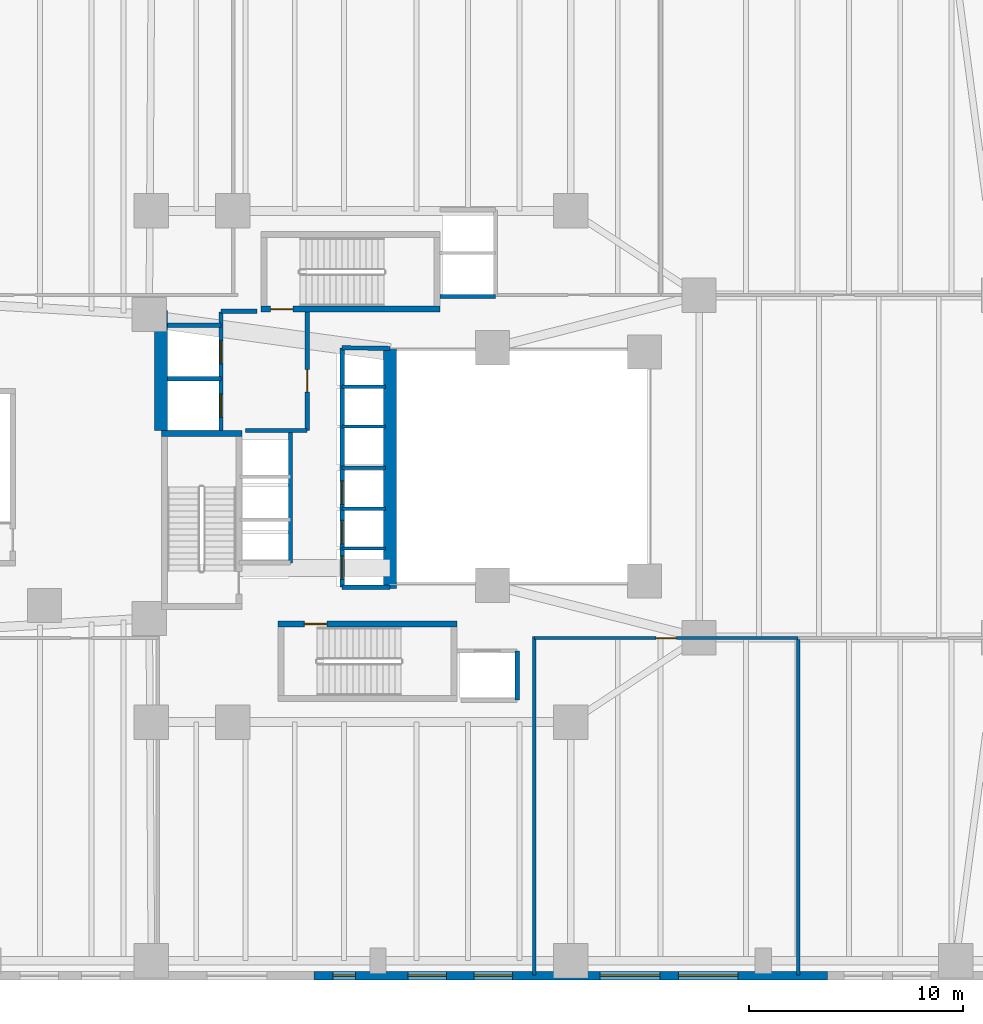
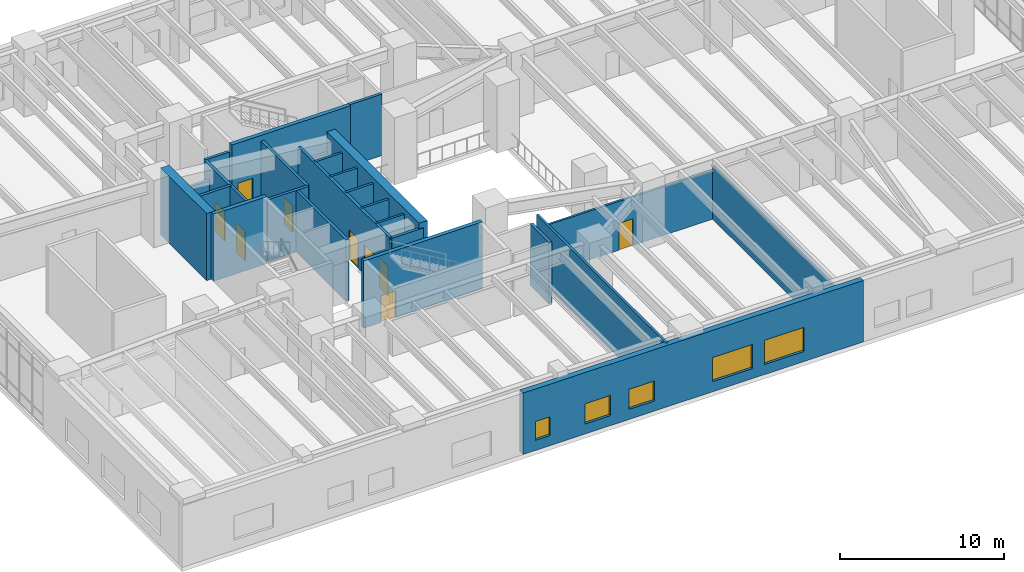
# One storey, part 13 of 18: 26 walls, 9 doors, 5 windows, 14 openings.
"""IFC4 building model written with IfcOpenShell, lengths in metres."""

from ifc_helpers import new_model, si_unit, direction, frame, frame_2d, origin, place, context, subcontext, project, spatial, rectangle, extrude, material, layer, layer_set, type_object, element, fill, save


model = new_model("IFC4")

# Units and contexts
model_context = context("Model", 3, precision=1e-05, world=origin(), true_north=direction((0.0, 1.0)))
body_context = subcontext(model_context, "Body", "Model", "MODEL_VIEW")
ifc_project = project(units=[si_unit("LENGTHUNIT", "METRE"), si_unit("AREAUNIT", "SQUARE_METRE"), si_unit("VOLUMEUNIT", "CUBIC_METRE"), si_unit("PLANEANGLEUNIT", "RADIAN"), si_unit("MASSUNIT", "GRAM", prefix="KILO"), si_unit("THERMODYNAMICTEMPERATUREUNIT", "KELVIN"), si_unit("POWERUNIT", "WATT")], contexts=[model_context])

# Site, building, storey
site_placement = place(None, origin())
site = spatial("IfcSite", under=ifc_project, at=site_placement, CompositionType="ELEMENT")
building_placement = place(site_placement, origin())
building = spatial("IfcBuilding", under=site, at=building_placement, Name="Skarre Station Tower", CompositionType="ELEMENT")
storey_placement = place(building_placement, frame((0.0, 0.0, 16.0)))
storey = spatial("IfcBuildingStorey", under=building, at=storey_placement, Name="L04", CompositionType="ELEMENT", Elevation=16.0)

# Wall, opening, door
ifc_material_1 = material(Name="Acoustic Steel-Stud Gypsum Partition", Category="steel")
ifc_layer_1 = layer(ifc_material_1, 0.14990234375, Name="Acoustic Steel-Stud Gypsum Partition")
ifc_layer_set_1 = layer_set([ifc_layer_1], Name="Acoustic Steel-Stud Gypsum Partition")
wall_type_1 = type_object("IfcWallType", Name="Fire-Rated Corridor Acoustic Partition 150", PredefinedType="PARTITIONING", material=ifc_layer_set_1)
wall_1_placement = place(storey_placement, frame((34.300048828125, 15.97998046875, 0.0), z_axis=(0.0, 0.0, 1.0), x_axis=(1.0, 0.0, 0.0)))
wall_1 = element("IfcWall", 1, at=wall_1_placement, inside=storey, type_object=wall_type_1, Name="L04 Interior Partition WL-PT-L04-PDSE1-CW", PredefinedType="PARTITIONING", context=body_context, shape_type="SweptSolid", body=[
    extrude(rectangle(XDim=12.31201171875, YDim=0.14990234375, at=frame_2d((6.156005859375, 0.0))), origin(), (0.0, 0.0, 1.0), 3.632080078125),
])
opening_1_placement = place(wall_1_placement, frame((5.676025390625, 0.0, 0.0)))
opening_1 = element("IfcOpeningElement", 2, at=opening_1_placement, cuts=wall_1, Name="Opening DR-FD60", PredefinedType="OPENING", context=body_context, shape_type="SweptSolid", body=[
    extrude(rectangle(XDim=0.9599609375, YDim=2.0, at=frame_2d((0.47998046875, 1.0))), frame((0.0, 0.0849609375, 0.0), z_axis=(0.0, -1.0, 0.0), x_axis=(1.0, 0.0, 0.0)), (0.0, 0.0, 1.0), 0.169921875),
])
ifc_material_2 = material(Name="Nordic White-Oak Veneer Solid-Core Fire Leaf", Category="wood")
door_type_1 = type_object("IfcDoorType", Name="Corridor Suite Entry Fire Door FD60 960x2150", OperationType="SINGLE_SWING_LEFT", PredefinedType="DOOR", material=ifc_material_2)
door_1_placement = place(opening_1_placement, origin())
door_1 = element("IfcDoor", 3, at=door_1_placement, inside=storey, type_object=door_type_1, Name="L04 PDSE1 Entry Door", OperationType="SINGLE_SWING_LEFT", OverallHeight=2.0, OverallWidth=0.9599609375, PredefinedType="DOOR", context=body_context, shape_type="SweptSolid", body=[
    extrude(rectangle(XDim=0.9599609375, YDim=2.0, at=frame_2d((0.47998046875, 1.0))), frame((0.0, 0.02490234375, 0.0), z_axis=(0.0, -1.0, 0.0), x_axis=(1.0, 0.0, 0.0)), (0.0, 0.0, 1.0), 0.050048828125),
])
fill(opening_1, door_1)

# Wall, openings, windows
ifc_material_3 = material(Name="Precast concrete C45/55", Category="concrete")
ifc_layer_2 = layer(ifc_material_3, 0.39990234375, Name="Precast concrete C45/55")
ifc_layer_set_2 = layer_set([ifc_layer_2], Name="Precast concrete C45/55")
wall_type_2 = type_object("IfcWallType", Name="Nordic Granite Station Podium Wall 400", PredefinedType="STANDARD", material=ifc_layer_set_2)
wall_2_placement = place(storey_placement, frame((48.0, 0.199951171875, 0.0), z_axis=(0.0, 0.0, 1.0), x_axis=(-1.0, 0.0, 0.0)))
wall_2 = element("IfcWall", 4, at=wall_2_placement, inside=storey, type_object=wall_type_2, Name="L04 South Podium Granite Wall SB", PredefinedType="STANDARD", context=body_context, shape_type="SweptSolid", body=[
    extrude(rectangle(XDim=24.0, YDim=0.39990234375, at=frame_2d((12.0, 0.0))), origin(), (0.0, 0.0, 1.0), 4.580078125),
])
opening_2_placement = place(wall_2_placement, frame((4.169921875, 0.0, 0.75)))
opening_2 = element("IfcOpeningElement", 5, at=opening_2_placement, cuts=wall_2, Name="Opening WN-POD", PredefinedType="OPENING", context=body_context, shape_type="SweptSolid", body=[
    extrude(rectangle(XDim=2.800048828125, YDim=1.800048828125, at=frame_2d((1.39990234375, 0.89990234375))), frame((0.0, 0.2099609375, 0.0), z_axis=(0.0, -1.0, 0.0), x_axis=(1.0, 0.0, 0.0)), (0.0, 0.0, 1.0), 0.419921875),
])
opening_3_placement = place(wall_2_placement, frame((7.830078125, 0.0, 0.75)))
opening_3 = element("IfcOpeningElement", 6, at=opening_3_placement, cuts=wall_2, Name="Opening WN-POD", PredefinedType="OPENING", context=body_context, shape_type="SweptSolid", body=[
    extrude(rectangle(XDim=2.800048828125, YDim=1.800048828125, at=frame_2d((1.39990234375, 0.89990234375))), frame((0.0, 0.2099609375, 0.0), z_axis=(0.0, -1.0, 0.0), x_axis=(1.0, 0.0, 0.0)), (0.0, 0.0, 1.0), 0.419921875),
])
opening_4_placement = place(wall_2_placement, frame((14.7119140625, 0.0, 0.75)))
opening_4 = element("IfcOpeningElement", 7, at=opening_4_placement, cuts=wall_2, Name="Opening WN-Z1A", PredefinedType="OPENING", context=body_context, shape_type="SweptSolid", body=[
    extrude(rectangle(XDim=1.800048828125, YDim=1.5, at=frame_2d((0.89990234375, 0.75))), frame((0.0, 0.2099609375, 0.0), z_axis=(0.0, -1.0, 0.0), x_axis=(1.0, 0.0, 0.0)), (0.0, 0.0, 1.0), 0.419921875),
])
opening_5_placement = place(wall_2_placement, frame((17.81103515625, 0.0, 0.75)))
opening_5 = element("IfcOpeningElement", 8, at=opening_5_placement, cuts=wall_2, Name="Opening WN-Z1A", PredefinedType="OPENING", context=body_context, shape_type="SweptSolid", body=[
    extrude(rectangle(XDim=1.800048828125, YDim=1.5, at=frame_2d((0.89990234375, 0.75))), frame((0.0, 0.2099609375, 0.0), z_axis=(0.0, -1.0, 0.0), x_axis=(1.0, 0.0, 0.0)), (0.0, 0.0, 1.0), 0.419921875),
])
opening_6_placement = place(wall_2_placement, frame((22.070068359375, 0.0, 0.75)))
opening_6 = element("IfcOpeningElement", 9, at=opening_6_placement, cuts=wall_2, Name="Opening WN-SLT", PredefinedType="OPENING", context=body_context, shape_type="SweptSolid", body=[
    extrude(rectangle(XDim=1.050048828125, YDim=1.39990234375, at=frame_2d((0.52490234375, 0.699951171875))), frame((0.0, 0.2099609375, 0.0), z_axis=(0.0, -1.0, 0.0), x_axis=(1.0, 0.0, 0.0)), (0.0, 0.0, 1.0), 0.419921875),
])
ifc_material_4 = material(Name="Low-Iron Triple Glazing with Bronze Anodized Frame", Category="glass")
window_type_1 = type_object("IfcWindowType", Name="Nordic Corner Slot Window 1050x1400", PartitioningType="SINGLE_PANEL", PredefinedType="WINDOW", material=ifc_material_4)
window_1_placement = place(opening_6_placement, origin())
window_1 = element("IfcWindow", 10, at=window_1_placement, inside=storey, type_object=window_type_1, Name="L04 Facade Window WL-POD-L04-SB-5", OverallHeight=1.39990234375, OverallWidth=1.050048828125, PartitioningType="SINGLE_PANEL", PredefinedType="WINDOW", context=body_context, shape_type="SweptSolid", body=[
    extrude(rectangle(XDim=1.050048828125, YDim=1.39990234375, at=frame_2d((0.52490234375, 0.699951171875))), frame((0.0, 0.030029296875, 0.0), z_axis=(0.0, -1.0, 0.0), x_axis=(1.0, 0.0, 0.0)), (0.0, 0.0, 1.0), 0.06005859375),
])
fill(opening_6, window_1)
window_type_2 = type_object("IfcWindowType", Name="Nordic Punched Triple-Glazed Window 1800x1500", PartitioningType="SINGLE_PANEL", PredefinedType="WINDOW", material=ifc_material_4)
window_2_placement = place(opening_4_placement, origin())
window_2 = element("IfcWindow", 11, at=window_2_placement, inside=storey, type_object=window_type_2, Name="L04 Facade Window WL-POD-L04-SB-3", OverallHeight=1.5, OverallWidth=1.800048828125, PartitioningType="SINGLE_PANEL", PredefinedType="WINDOW", context=body_context, shape_type="SweptSolid", body=[
    extrude(rectangle(XDim=1.800048828125, YDim=1.5, at=frame_2d((0.89990234375, 0.75))), frame((0.0, 0.030029296875, 0.0), z_axis=(0.0, -1.0, 0.0), x_axis=(1.0, 0.0, 0.0)), (0.0, 0.0, 1.0), 0.06005859375),
])
fill(opening_4, window_2)
window_3_placement = place(opening_5_placement, origin())
window_3 = element("IfcWindow", 12, at=window_3_placement, inside=storey, type_object=window_type_2, Name="L04 Facade Window WL-POD-L04-SB-4", OverallHeight=1.5, OverallWidth=1.800048828125, PartitioningType="SINGLE_PANEL", PredefinedType="WINDOW", context=body_context, shape_type="SweptSolid", body=[
    extrude(rectangle(XDim=1.800048828125, YDim=1.5, at=frame_2d((0.89990234375, 0.75))), frame((0.0, 0.030029296875, 0.0), z_axis=(0.0, -1.0, 0.0), x_axis=(1.0, 0.0, 0.0)), (0.0, 0.0, 1.0), 0.06005859375),
])
fill(opening_5, window_3)
window_type_3 = type_object("IfcWindowType", Name="Podium Clerestory Ribbon Window 2800x1800", PartitioningType="SINGLE_PANEL", PredefinedType="WINDOW", material=ifc_material_4)
window_4_placement = place(opening_2_placement, origin())
window_4 = element("IfcWindow", 13, at=window_4_placement, inside=storey, type_object=window_type_3, Name="L04 Facade Window WL-POD-L04-SB-1", OverallHeight=1.800048828125, OverallWidth=2.800048828125, PartitioningType="SINGLE_PANEL", PredefinedType="WINDOW", context=body_context, shape_type="SweptSolid", body=[
    extrude(rectangle(XDim=2.800048828125, YDim=1.800048828125, at=frame_2d((1.39990234375, 0.89990234375))), frame((0.0, 0.030029296875, 0.0), z_axis=(0.0, -1.0, 0.0), x_axis=(1.0, 0.0, 0.0)), (0.0, 0.0, 1.0), 0.06005859375),
])
fill(opening_2, window_4)
window_5_placement = place(opening_3_placement, origin())
window_5 = element("IfcWindow", 14, at=window_5_placement, inside=storey, type_object=window_type_3, Name="L04 Facade Window WL-POD-L04-SB-2", OverallHeight=1.800048828125, OverallWidth=2.800048828125, PartitioningType="SINGLE_PANEL", PredefinedType="WINDOW", context=body_context, shape_type="SweptSolid", body=[
    extrude(rectangle(XDim=2.800048828125, YDim=1.800048828125, at=frame_2d((1.39990234375, 0.89990234375))), frame((0.0, 0.030029296875, 0.0), z_axis=(0.0, -1.0, 0.0), x_axis=(1.0, 0.0, 0.0)), (0.0, 0.0, 1.0), 0.06005859375),
])
fill(opening_3, window_5)

# Wall
ifc_material_5 = material(Name="Concrete C50/60", Category="concrete")
ifc_layer_3 = layer(ifc_material_5, 0.280029296875, Name="Concrete C50/60")
ifc_layer_set_3 = layer_set([ifc_layer_3], Name="Concrete C50/60")
wall_type_3 = type_object("IfcWallType", Name="RC Core Shear Wall 280", PredefinedType="SHEAR", material=ifc_layer_set_3)
wall_3_placement = place(storey_placement, frame((20.6298828125, 25.5400390625, 0.0), z_axis=(0.0, 0.0, 1.0), x_axis=(-1.0, 0.0, 0.0)))
element("IfcWall", 15, at=wall_3_placement, inside=storey, type_object=wall_type_3, Name="L04 Stair ST-1 North Shear Wall", PredefinedType="SHEAR", context=body_context, shape_type="SweptSolid", body=[
    extrude(rectangle(XDim=3.759765625, YDim=0.280029296875, at=frame_2d((1.8798828125, 0.0))), origin(), (0.0, 0.0, 1.0), 5.0),
])

# Wall, opening, door
wall_4_placement = place(storey_placement, frame((30.679931640625, 16.639892578125, 0.0), z_axis=(0.0, 0.0, 1.0), x_axis=(-1.0, 0.0, 0.0)))
wall_4 = element("IfcWall", 16, at=wall_4_placement, inside=storey, type_object=wall_type_3, Name="L04 Stair ST-2 North Shear Wall", PredefinedType="SHEAR", context=body_context, shape_type="SweptSolid", body=[
    extrude(rectangle(XDim=8.35986328125, YDim=0.280029296875, at=frame_2d((4.179931640625, 0.0))), origin(), (0.0, 0.0, 1.0), 5.0),
])
opening_7_placement = place(wall_4_placement, frame((6.080078125, 0.0, 0.0)))
opening_7 = element("IfcOpeningElement", 17, at=opening_7_placement, cuts=wall_4, Name="Opening DR-FD90", PredefinedType="OPENING", context=body_context, shape_type="SweptSolid", body=[
    extrude(rectangle(XDim=1.050048828125, YDim=2.0, at=frame_2d((0.52490234375, 1.0))), frame((0.0, 0.14990234375, 0.0), z_axis=(0.0, -1.0, 0.0), x_axis=(1.0, 0.0, 0.0)), (0.0, 0.0, 1.0), 0.300048828125),
])
ifc_material_6 = material(Name="Fire-Rated Insulated Steel Frame & Timber Core Leaf", Category="steel")
door_type_2 = type_object("IfcDoorType", Name="Stair & FSAE Lobby Fire Door FD90 1050x2150", OperationType="SINGLE_SWING_RIGHT", PredefinedType="DOOR", material=ifc_material_6)
door_2_placement = place(opening_7_placement, origin())
door_2 = element("IfcDoor", 18, at=door_2_placement, inside=storey, type_object=door_type_2, Name="L04 Stair ST-2 Exit Door", OperationType="SINGLE_SWING_RIGHT", OverallHeight=2.0, OverallWidth=1.050048828125, PredefinedType="DOOR", context=body_context, shape_type="SweptSolid", body=[
    extrude(rectangle(XDim=1.050048828125, YDim=2.0, at=frame_2d((0.52490234375, 1.0))), frame((0.0, 0.02490234375, 0.0), z_axis=(0.0, -1.0, 0.0), x_axis=(1.0, 0.0, 0.0)), (0.0, 0.0, 1.0), 0.050048828125),
])
fill(opening_7, door_2)

wall_5_placement = place(storey_placement, frame((21.52001953125, 31.360107421875, 0.0), z_axis=(0.0, 0.0, 1.0), x_axis=(1.0, 0.0, 0.0)))
wall_5 = element("IfcWall", 19, at=wall_5_placement, inside=storey, type_object=wall_type_3, Name="L04 Stair ST-3 South Shear Wall", PredefinedType="SHEAR", context=body_context, shape_type="SweptSolid", body=[
    extrude(rectangle(XDim=8.35986328125, YDim=0.280029296875, at=frame_2d((4.179931640625, 0.0))), origin(), (0.0, 0.0, 1.0), 5.0),
])
opening_8_placement = place(wall_5_placement, frame((0.449951171875, 0.0, 0.0)))
opening_8 = element("IfcOpeningElement", 20, at=opening_8_placement, cuts=wall_5, Name="Opening DR-FD90", PredefinedType="OPENING", context=body_context, shape_type="SweptSolid", body=[
    extrude(rectangle(XDim=1.050048828125, YDim=2.0, at=frame_2d((0.52490234375, 1.0))), frame((0.0, 0.14990234375, 0.0), z_axis=(0.0, -1.0, 0.0), x_axis=(1.0, 0.0, 0.0)), (0.0, 0.0, 1.0), 0.300048828125),
])
door_3_placement = place(opening_8_placement, origin())
door_3 = element("IfcDoor", 21, at=door_3_placement, inside=storey, type_object=door_type_2, Name="L04 Stair ST-3 & FSAE Lobby Direct Exit Door", OperationType="SINGLE_SWING_LEFT", OverallHeight=2.0, OverallWidth=1.050048828125, PredefinedType="DOOR", context=body_context, shape_type="SweptSolid", body=[
    extrude(rectangle(XDim=1.050048828125, YDim=2.0, at=frame_2d((0.52490234375, 1.0))), frame((0.0, 0.02490234375, 0.0), z_axis=(0.0, -1.0, 0.0), x_axis=(1.0, 0.0, 0.0)), (0.0, 0.0, 1.0), 0.050048828125),
])
fill(opening_8, door_3)

# Walls
ifc_material_7 = material(Name="Concrete C70/85", Category="concrete")
ifc_layer_4 = layer(ifc_material_7, 0.60009765625, Name="Concrete C70/85")
ifc_layer_set_4 = layer_set([ifc_layer_4], Name="Concrete C70/85")
wall_type_4 = type_object("IfcWallType", Name="RC Core Shear Wall 600", PredefinedType="SHEAR", material=ifc_layer_set_4)
wall_6_placement = place(storey_placement, frame((16.85009765625, 25.679931640625, 0.0), z_axis=(0.0, 0.0, 1.0), x_axis=(0.0, 1.0, 0.0)))
element("IfcWall", 22, at=wall_6_placement, inside=storey, type_object=wall_type_4, Name="L04 Core West-North Shear Wall", PredefinedType="SHEAR", context=body_context, shape_type="SweptSolid", body=[
    extrude(rectangle(XDim=5.6201171875, YDim=0.60009765625, at=frame_2d((2.81005859375, 0.0))), origin(), (0.0, 0.0, 1.0), 5.0),
])
wall_7_placement = place(storey_placement, frame((27.550048828125, 29.550048828125, 0.0), z_axis=(0.0, 0.0, 1.0), x_axis=(0.0, -1.0, 0.0)))
element("IfcWall", 23, at=wall_7_placement, inside=storey, type_object=wall_type_4, Name="L04 Core East Atrium Shear Wall", PredefinedType="SHEAR", context=body_context, shape_type="SweptSolid", body=[
    extrude(rectangle(XDim=11.25, YDim=0.60009765625, at=frame_2d((5.625, 0.0))), origin(), (0.0, 0.0, 1.0), 5.0),
])

# Wall, openings, doors
ifc_material_8 = material(Name="Gypsum Concrete Shaft Assembly C30/37", Category="concrete")
ifc_layer_5 = layer(ifc_material_8, 0.199951171875, Name="Gypsum Concrete Shaft Assembly C30/37")
ifc_layer_set_5 = layer_set([ifc_layer_5], Name="Gypsum Concrete Shaft Assembly C30/37")
wall_type_5 = type_object("IfcWallType", Name="Shaft & Core Fire Partition 200", PredefinedType="PARTITIONING", material=ifc_layer_set_5)
wall_8_placement = place(storey_placement, frame((19.64990234375, 25.679931640625, 0.0), z_axis=(0.0, 0.0, 1.0), x_axis=(0.0, 1.0, 0.0)))
wall_8 = element("IfcWall", 24, at=wall_8_placement, inside=storey, type_object=wall_type_5, Name="L04 Interior Partition WL-PT-L04-FSAE-W", PredefinedType="PARTITIONING", context=body_context, shape_type="SweptSolid", body=[
    extrude(rectangle(XDim=5.5400390625, YDim=0.199951171875, at=frame_2d((2.77001953125, 0.0))), origin(), (0.0, 0.0, 1.0), 4.580078125),
])
opening_9_placement = place(wall_8_placement, frame((0.6201171875, 0.0, 0.0)))
opening_9 = element("IfcOpeningElement", 25, at=opening_9_placement, cuts=wall_8, Name="Opening LD-FF1", PredefinedType="OPENING", context=body_context, shape_type="SweptSolid", body=[
    extrude(rectangle(XDim=1.10009765625, YDim=2.199951171875, at=frame_2d((0.550048828125, 1.10009765625))), frame((0.0, 0.10986328125, 0.0), z_axis=(0.0, -1.0, 0.0), x_axis=(1.0, 0.0, 0.0)), (0.0, 0.0, 1.0), 0.219970703125),
])
opening_10_placement = place(wall_8_placement, frame((3.1201171875, 0.0, 0.0)))
opening_10 = element("IfcOpeningElement", 26, at=opening_10_placement, cuts=wall_8, Name="Opening LD-FF2", PredefinedType="OPENING", context=body_context, shape_type="SweptSolid", body=[
    extrude(rectangle(XDim=1.10009765625, YDim=2.199951171875, at=frame_2d((0.550048828125, 1.10009765625))), frame((0.0, 0.10986328125, 0.0), z_axis=(0.0, -1.0, 0.0), x_axis=(1.0, 0.0, 0.0)), (0.0, 0.0, 1.0), 0.219970703125),
])
ifc_material_9 = material(Name="Fire-Rated Stainless Steel Grade 316L Sliding Leaves", Category="steel")
door_type_3 = type_object("IfcDoorType", Name="Fire Service Access Elevator Sliding Landing Door 1100x2200", OperationType="SLIDING_TO_LEFT", PredefinedType="DOOR", material=ifc_material_9)
door_4_placement = place(opening_9_placement, origin())
door_4 = element("IfcDoor", 27, at=door_4_placement, inside=storey, type_object=door_type_3, Name="L04 Firefighting Lift LF-FF1 Landing Door", OperationType="SLIDING_TO_LEFT", OverallHeight=2.199951171875, OverallWidth=1.10009765625, PredefinedType="DOOR", context=body_context, shape_type="SweptSolid", body=[
    extrude(rectangle(XDim=1.10009765625, YDim=2.199951171875, at=frame_2d((0.550048828125, 1.10009765625))), frame((0.0, 0.02490234375, 0.0), z_axis=(0.0, -1.0, 0.0), x_axis=(1.0, 0.0, 0.0)), (0.0, 0.0, 1.0), 0.050048828125),
])
fill(opening_9, door_4)
door_5_placement = place(opening_10_placement, origin())
door_5 = element("IfcDoor", 28, at=door_5_placement, inside=storey, type_object=door_type_3, Name="L04 Firefighting Lift LF-FF2 Landing Door", OperationType="SLIDING_TO_LEFT", OverallHeight=2.199951171875, OverallWidth=1.10009765625, PredefinedType="DOOR", context=body_context, shape_type="SweptSolid", body=[
    extrude(rectangle(XDim=1.10009765625, YDim=2.199951171875, at=frame_2d((0.550048828125, 1.10009765625))), frame((0.0, 0.02490234375, 0.0), z_axis=(0.0, -1.0, 0.0), x_axis=(1.0, 0.0, 0.0)), (0.0, 0.0, 1.0), 0.050048828125),
])
fill(opening_10, door_5)

# Wall
wall_9_placement = place(storey_placement, frame((20.79296875, 25.679931640625, 0.0), z_axis=(0.0, 0.0, 1.0), x_axis=(1.0, 0.0, 0.0)))
element("IfcWall", 29, at=wall_9_placement, inside=storey, type_object=wall_type_5, Name="L04 Interior Partition WL-PT-L04-FSAE-S", PredefinedType="PARTITIONING", context=body_context, shape_type="SweptSolid", body=[
    extrude(rectangle(XDim=2.886962890625, YDim=0.199951171875, at=frame_2d((1.443359375, 0.0))), origin(), (0.0, 0.0, 1.0), 4.580078125),
])

# Wall, opening, door
wall_10_placement = place(storey_placement, frame((23.679931640625, 25.679931640625, 0.0), z_axis=(0.0, 0.0, 1.0), x_axis=(0.0, 1.0, 0.0)))
wall_10 = element("IfcWall", 30, at=wall_10_placement, inside=storey, type_object=wall_type_5, Name="L04 Interior Partition WL-PT-L04-FSAE-E", PredefinedType="PARTITIONING", context=body_context, shape_type="SweptSolid", body=[
    extrude(rectangle(XDim=5.5400390625, YDim=0.199951171875, at=frame_2d((2.77001953125, 0.0))), origin(), (0.0, 0.0, 1.0), 4.580078125),
])
opening_11_placement = place(wall_10_placement, frame((1.800048828125, 0.0, 0.0)))
opening_11 = element("IfcOpeningElement", 31, at=opening_11_placement, cuts=wall_10, Name="Opening DR-FD90", PredefinedType="OPENING", context=body_context, shape_type="SweptSolid", body=[
    extrude(rectangle(XDim=1.050048828125, YDim=2.0, at=frame_2d((0.52490234375, 1.0))), frame((0.0, 0.10986328125, 0.0), z_axis=(0.0, -1.0, 0.0), x_axis=(1.0, 0.0, 0.0)), (0.0, 0.0, 1.0), 0.219970703125),
])
door_6_placement = place(opening_11_placement, origin())
door_6 = element("IfcDoor", 32, at=door_6_placement, inside=storey, type_object=door_type_2, Name="L04 FSAE Lobby Fire Door", OperationType="SINGLE_SWING_RIGHT", OverallHeight=2.0, OverallWidth=1.050048828125, PredefinedType="DOOR", context=body_context, shape_type="SweptSolid", body=[
    extrude(rectangle(XDim=1.050048828125, YDim=2.0, at=frame_2d((0.52490234375, 1.0))), frame((0.0, 0.02490234375, 0.0), z_axis=(0.0, -1.0, 0.0), x_axis=(1.0, 0.0, 0.0)), (0.0, 0.0, 1.0), 0.050048828125),
])
fill(opening_11, door_6)

# Walls
wall_11_placement = place(storey_placement, frame((21.330078125, 31.260009765625, 0.0), z_axis=(0.0, 0.0, 1.0), x_axis=(-1.0, 0.0, 0.0)))
element("IfcWall", 33, at=wall_11_placement, inside=storey, type_object=wall_type_5, Name="L04 Interior Partition WL-PT-L04-FSAE-N", PredefinedType="PARTITIONING", context=body_context, shape_type="SweptSolid", body=[
    extrude(rectangle(XDim=1.68017578125, YDim=0.199951171875, at=frame_2d((0.840087890625, 0.0))), origin(), (0.0, 0.0, 1.0), 4.580078125),
])
wall_12_placement = place(storey_placement, frame((17.14990234375, 28.10009765625, 0.0), z_axis=(0.0, 0.0, 1.0), x_axis=(1.0, 0.0, 0.0)))
element("IfcWall", 34, at=wall_12_placement, inside=storey, type_object=wall_type_5, Name="L04 Interior Partition WL-PT-L04-FF-DIV", PredefinedType="PARTITIONING", context=body_context, shape_type="SweptSolid", body=[
    extrude(rectangle(XDim=2.5, YDim=0.199951171875, at=frame_2d((1.25, 0.0))), origin(), (0.0, 0.0, 1.0), 4.580078125),
])
wall_13_placement = place(storey_placement, frame((19.64990234375, 30.60009765625, 0.0), z_axis=(0.0, 0.0, 1.0), x_axis=(-1.0, 0.0, 0.0)))
element("IfcWall", 35, at=wall_13_placement, inside=storey, type_object=wall_type_5, Name="L04 Interior Partition WL-PT-L04-FF-N", PredefinedType="PARTITIONING", context=body_context, shape_type="SweptSolid", body=[
    extrude(rectangle(XDim=2.5, YDim=0.199951171875, at=frame_2d((1.25, 0.0))), origin(), (0.0, 0.0, 1.0), 3.47998046875),
])
wall_14_placement = place(storey_placement, frame((33.5, 13.080078125, 0.0), z_axis=(0.0, 0.0, 1.0), x_axis=(0.0, 1.0, 0.0)))
element("IfcWall", 36, at=wall_14_placement, inside=storey, type_object=wall_type_5, Name="L04 Interior Partition WL-PT-L04-SV1-E", PredefinedType="PARTITIONING", context=body_context, shape_type="SweptSolid", body=[
    extrude(rectangle(XDim=2.2998046875, YDim=0.199951171875, at=frame_2d((1.14990234375, 0.0))), origin(), (0.0, 0.0, 1.0), 4.580078125),
])
wall_15_placement = place(storey_placement, frame((32.47998046875, 31.949951171875, 0.0), z_axis=(0.0, 0.0, 1.0), x_axis=(-1.0, 0.0, 0.0)))
element("IfcWall", 37, at=wall_15_placement, inside=storey, type_object=wall_type_5, Name="L04 Interior Partition WL-PT-L04-EX-S", PredefinedType="PARTITIONING", context=body_context, shape_type="SweptSolid", body=[
    extrude(rectangle(XDim=2.60009765625, YDim=0.199951171875, at=frame_2d((1.300048828125, 0.0))), origin(), (0.0, 0.0, 1.0), 4.580078125),
])
wall_16_placement = place(storey_placement, frame((22.89990234375, 19.5, 0.0), z_axis=(0.0, 0.0, 1.0), x_axis=(0.0, 1.0, 0.0)))
element("IfcWall", 38, at=wall_16_placement, inside=storey, type_object=wall_type_5, Name="L04 Interior Partition WL-PT-L04-B3-E", PredefinedType="PARTITIONING", context=body_context, shape_type="SweptSolid", body=[
    extrude(rectangle(XDim=6.0849609375, YDim=0.199951171875, at=frame_2d((3.04248046875, 0.0))), origin(), (0.0, 0.0, 1.0), 4.580078125),
])

# Wall, openings, doors
wall_17_placement = place(storey_placement, frame((25.320068359375, 29.550048828125, 0.0), z_axis=(0.0, 0.0, 1.0), x_axis=(0.0, -1.0, 0.0)))
wall_17 = element("IfcWall", 39, at=wall_17_placement, inside=storey, type_object=wall_type_5, Name="L04 Interior Partition WL-PT-L04-B12-W", PredefinedType="PARTITIONING", context=body_context, shape_type="SweptSolid", body=[
    extrude(rectangle(XDim=11.18994140625, YDim=0.199951171875, at=frame_2d((5.594970703125, 0.0))), origin(), (0.0, 0.0, 1.0), 4.580078125),
])
opening_12_placement = place(wall_17_placement, frame((6.219970703125, 0.0, 0.0)))
opening_12 = element("IfcOpeningElement", 40, at=opening_12_placement, cuts=wall_17, Name="Opening LD-P3", PredefinedType="OPENING", context=body_context, shape_type="SweptSolid", body=[
    extrude(rectangle(XDim=1.10009765625, YDim=2.199951171875, at=frame_2d((0.550048828125, 1.10009765625))), frame((0.0, 0.10986328125, 0.0), z_axis=(0.0, -1.0, 0.0), x_axis=(1.0, 0.0, 0.0)), (0.0, 0.0, 1.0), 0.219970703125),
])
opening_13_placement = place(wall_17_placement, frame((8.070068359375, 0.0, 0.0)))
opening_13 = element("IfcOpeningElement", 41, at=opening_13_placement, cuts=wall_17, Name="Opening LD-P2", PredefinedType="OPENING", context=body_context, shape_type="SweptSolid", body=[
    extrude(rectangle(XDim=1.10009765625, YDim=2.199951171875, at=frame_2d((0.550048828125, 1.10009765625))), frame((0.0, 0.10986328125, 0.0), z_axis=(0.0, -1.0, 0.0), x_axis=(1.0, 0.0, 0.0)), (0.0, 0.0, 1.0), 0.219970703125),
])
opening_14_placement = place(wall_17_placement, frame((9.72998046875, 0.0, 0.0)))
opening_14 = element("IfcOpeningElement", 42, at=opening_14_placement, cuts=wall_17, Name="Opening LD-P1", PredefinedType="OPENING", context=body_context, shape_type="SweptSolid", body=[
    extrude(rectangle(XDim=1.10009765625, YDim=2.199951171875, at=frame_2d((0.550048828125, 1.10009765625))), frame((0.0, 0.10986328125, 0.0), z_axis=(0.0, -1.0, 0.0), x_axis=(1.0, 0.0, 0.0)), (0.0, 0.0, 1.0), 0.219970703125),
])
ifc_material_10 = material(Name="Brushed Bronze Stainless Steel Sliding Leaves", Category="steel")
door_type_4 = type_object("IfcDoorType", Name="Passenger Elevator Center-Parting Sliding Door 1100x2200", OperationType="SLIDING_TO_LEFT", PredefinedType="DOOR", material=ifc_material_10)
door_7_placement = place(opening_12_placement, origin())
door_7 = element("IfcDoor", 43, at=door_7_placement, inside=storey, type_object=door_type_4, Name="L04 Passenger Lift LF-P3 Landing Door", OperationType="SLIDING_TO_LEFT", OverallHeight=2.199951171875, OverallWidth=1.10009765625, PredefinedType="DOOR", context=body_context, shape_type="SweptSolid", body=[
    extrude(rectangle(XDim=1.10009765625, YDim=2.199951171875, at=frame_2d((0.550048828125, 1.10009765625))), frame((0.0, 0.02490234375, 0.0), z_axis=(0.0, -1.0, 0.0), x_axis=(1.0, 0.0, 0.0)), (0.0, 0.0, 1.0), 0.050048828125),
])
fill(opening_12, door_7)
door_8_placement = place(opening_13_placement, origin())
door_8 = element("IfcDoor", 44, at=door_8_placement, inside=storey, type_object=door_type_4, Name="L04 Passenger Lift LF-P2 Landing Door", OperationType="SLIDING_TO_LEFT", OverallHeight=2.199951171875, OverallWidth=1.10009765625, PredefinedType="DOOR", context=body_context, shape_type="SweptSolid", body=[
    extrude(rectangle(XDim=1.10009765625, YDim=2.199951171875, at=frame_2d((0.550048828125, 1.10009765625))), frame((0.0, 0.02490234375, 0.0), z_axis=(0.0, -1.0, 0.0), x_axis=(1.0, 0.0, 0.0)), (0.0, 0.0, 1.0), 0.050048828125),
])
fill(opening_13, door_8)
door_9_placement = place(opening_14_placement, origin())
door_9 = element("IfcDoor", 45, at=door_9_placement, inside=storey, type_object=door_type_4, Name="L04 Passenger Lift LF-P1 Landing Door", OperationType="SLIDING_TO_LEFT", OverallHeight=2.199951171875, OverallWidth=1.10009765625, PredefinedType="DOOR", context=body_context, shape_type="SweptSolid", body=[
    extrude(rectangle(XDim=1.10009765625, YDim=2.199951171875, at=frame_2d((0.550048828125, 1.10009765625))), frame((0.0, 0.02490234375, 0.0), z_axis=(0.0, -1.0, 0.0), x_axis=(1.0, 0.0, 0.0)), (0.0, 0.0, 1.0), 0.050048828125),
])
fill(opening_14, door_9)

# Walls
wall_18_placement = place(storey_placement, frame((25.320068359375, 18.360107421875, 0.0), z_axis=(0.0, 0.0, 1.0), x_axis=(0.999989925833, -0.004488678231, 0.0)))
element("IfcWall", 46, at=wall_18_placement, inside=storey, type_object=wall_type_5, Name="L04 Interior Partition WL-PT-L04-B12-S", PredefinedType="PARTITIONING", context=body_context, shape_type="SweptSolid", body=[
    extrude(rectangle(XDim=2.22998046875, YDim=0.199951171875, at=frame_2d((1.114990234375, 0.0))), origin(), (0.0, 0.0, 1.0), 4.580078125),
])
wall_19_placement = place(storey_placement, frame((27.550048828125, 29.52001953125, 0.0), z_axis=(0.0, 0.0, 1.0), x_axis=(-0.999909343457, 0.013464949556, 0.0)))
element("IfcWall", 47, at=wall_19_placement, inside=storey, type_object=wall_type_5, Name="L04 Interior Partition WL-PT-L04-B12-N", PredefinedType="PARTITIONING", context=body_context, shape_type="SweptSolid", body=[
    extrude(rectangle(XDim=2.230224609375, YDim=0.199951171875, at=frame_2d((1.115234375, 0.0))), origin(), (0.0, 0.0, 1.0), 3.47998046875),
])
for number, where, z_axis, x_axis, name in (
    (48, (25.320068359375, 20.169921875, 0.0), (0.0, 0.0, 1.0), (1.0, 0.0, 0.0), "L04 Interior Partition WL-PT-L04-B12-D201"),
    (49, (25.320068359375, 22.02001953125, 0.0), (0.0, 0.0, 1.0), (1.0, 0.0, 0.0), "L04 Interior Partition WL-PT-L04-B12-D220"),
    (50, (25.320068359375, 23.949951171875, 0.0), (0.0, 0.0, 1.0), (1.0, 0.0, 0.0), "L04 Interior Partition WL-PT-L04-B12-D239"),
    (51, (25.320068359375, 25.8701171875, 0.0), (0.0, 0.0, 1.0), (1.0, 0.0, 0.0), "L04 Interior Partition WL-PT-L04-B12-D258"),
    (52, (25.320068359375, 27.719970703125, 0.0), (0.0, 0.0, 1.0), (1.0, 0.0, 0.0), "L04 Interior Partition WL-PT-L04-B12-D277"),
):
    element("IfcWall", number, at=place(storey_placement, frame(where, z_axis=z_axis, x_axis=x_axis)), inside=storey, type_object=wall_type_5, Name=name, PredefinedType="PARTITIONING", context=body_context, shape_type="SweptSolid", body=[
        extrude(rectangle(XDim=2.030029296875, YDim=0.159912109375, at=frame_2d((1.01513671875, 0.0))), origin(), (0.0, 0.0, 1.0), 4.580078125),
    ])
ifc_layer_6 = layer(ifc_material_1, 0.1650390625, Name="Acoustic Steel-Stud Gypsum Partition")
ifc_layer_set_6 = layer_set([ifc_layer_6], Name="Acoustic Steel-Stud Gypsum Partition")
wall_type_6 = type_object("IfcWallType", Name="Suite Demising Acoustic Partition 165", PredefinedType="PARTITIONING", material=ifc_layer_set_6)
wall_20_placement = place(storey_placement, frame((34.300048828125, 0.239990234375, 0.0), z_axis=(0.0, 0.0, 1.0), x_axis=(0.0, 1.0, 0.0)))
element("IfcWall", 53, at=wall_20_placement, inside=storey, type_object=wall_type_6, Name="L04 Interior Partition WL-PT-L04-PDSE-W", PredefinedType="PARTITIONING", context=body_context, shape_type="SweptSolid", body=[
    extrude(rectangle(XDim=15.81005859375, YDim=0.1650390625, at=frame_2d((7.905029296875, 0.0))), origin(), (0.0, 0.0, 1.0), 4.580078125),
])
wall_21_placement = place(storey_placement, frame((46.637939453125, 0.22998046875, 0.0), z_axis=(0.0, 0.0, 1.0), x_axis=(0.0, 1.0, 0.0)))
element("IfcWall", 54, at=wall_21_placement, inside=storey, type_object=wall_type_6, Name="L04 Interior Partition WL-PT-L04-PDSE-P1", PredefinedType="PARTITIONING", context=body_context, shape_type="SweptSolid", body=[
    extrude(rectangle(XDim=15.679931640625, YDim=0.1650390625, at=frame_2d((7.83984375, 0.0))), origin(), (0.0, 0.0, 1.0), 3.971923828125),
])

save(model, "model.ifc")
